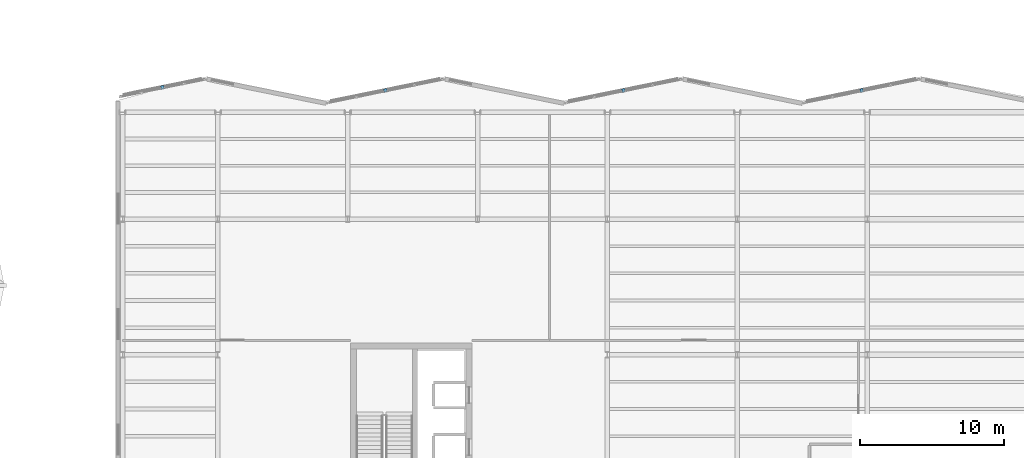
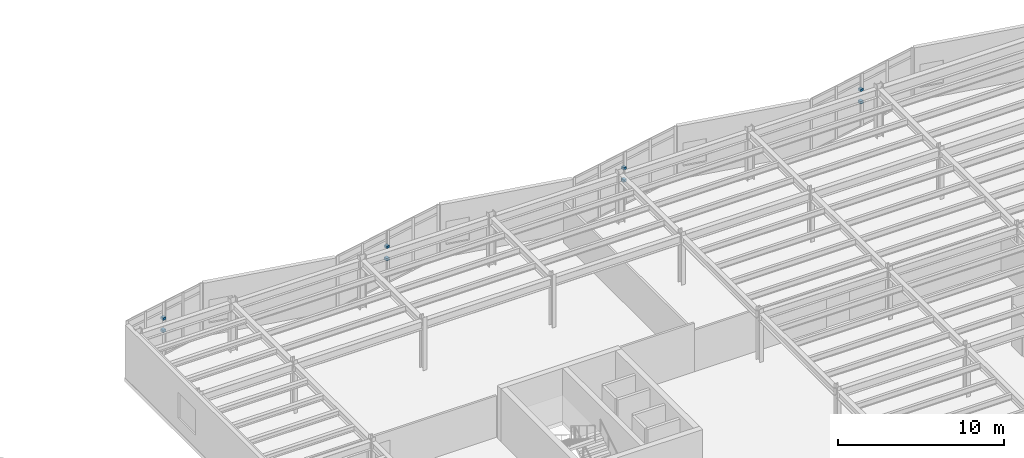
# One storey, part 41 of 46: 8 discrete accessories.
"""IFC4 building model written with IfcOpenShell, lengths in metres."""

from ifc_helpers import new_model, si_unit, direction, frame, origin, origin_2d, place, context, subcontext, project, spatial, rectangle, extrude, material, type_object, element, save


model = new_model("IFC4")

# Units and contexts
model_context = context("Model", 3, precision=1e-05, world=origin(), true_north=direction((0.0, 1.0)))
body_context = subcontext(model_context, "Body", "Model", "MODEL_VIEW")
ifc_project = project(units=[si_unit("LENGTHUNIT", "METRE"), si_unit("AREAUNIT", "SQUARE_METRE"), si_unit("VOLUMEUNIT", "CUBIC_METRE"), si_unit("PLANEANGLEUNIT", "RADIAN"), si_unit("MASSUNIT", "GRAM", prefix="KILO")], contexts=[model_context])

# Site, building, storey
site_placement = place(None, origin())
site = spatial("IfcSite", under=ifc_project, at=site_placement, CompositionType="ELEMENT")
building_placement = place(site_placement, origin())
building = spatial("IfcBuilding", under=site, at=building_placement, Name="Sollismere Congress Hotel", CompositionType="ELEMENT")
storey_placement = place(building_placement, frame((0.0, 0.0, 19.5)))
storey = spatial("IfcBuildingStorey", under=building, at=storey_placement, Name="L04", CompositionType="ELEMENT", Elevation=19.5)

# Discrete accessories
ifc_material = material(Name="Steel ASTM A572 Grade 50", Category="steel")
discrete_accessory_type = type_object("IfcDiscreteAccessoryType", Name="BRK-STL", PredefinedType="BRACKET", material=ifc_material)
for number, where, z_axis, x_axis, name in (
    (1, (63.1630859375, 104.131591796875, 1.6982421875), (0.0, 0.0, 1.0), (0.979924704621, 0.199367934417, 0.0), "BRK-SBK-018A"),
    (2, (63.1630859375, 104.131591796875, 2.59814453125), (0.0, 0.0, 1.0), (0.979924704621, 0.199367934417, 0.0), "BRK-SBK-018B"),
    (3, (78.613037109375, 103.91796875, 1.6982421875), (0.0, 0.0, 1.0), (0.979924704621, 0.199367934417, 0.0), "BRK-SBK-019A"),
    (4, (78.613037109375, 103.91796875, 2.59814453125), (0.0, 0.0, 1.0), (0.979924704621, 0.199367934417, 0.0), "BRK-SBK-019B"),
    (5, (95.113037109375, 103.91796875, 1.6982421875), (0.0, 0.0, 1.0), (0.979924704621, 0.199367934417, 0.0), "BRK-SBK-020A"),
    (6, (95.113037109375, 103.91796875, 2.59814453125), (0.0, 0.0, 1.0), (0.979924704621, 0.199367934417, 0.0), "BRK-SBK-020B"),
    (7, (111.613037109375, 103.91796875, 1.6982421875), (0.0, 0.0, 1.0), (0.979924704621, 0.199367934417, 0.0), "BRK-SBK-021A"),
    (8, (111.613037109375, 103.91796875, 2.59814453125), (0.0, 0.0, 1.0), (0.979924704621, 0.199367934417, 0.0), "BRK-SBK-021B"),
):
    element("IfcDiscreteAccessory", number, at=place(storey_placement, frame(where, z_axis=z_axis, x_axis=x_axis)), inside=storey, type_object=discrete_accessory_type, Name=name, PredefinedType="BRACKET", context=body_context, shape_type="SweptSolid", body=[
        extrude(rectangle(XDim=0.219970703125, YDim=0.239990234375, at=origin_2d()), origin(), (0.0, 0.0, 1.0), 0.179931640625),
    ])

save(model, "model.ifc")
